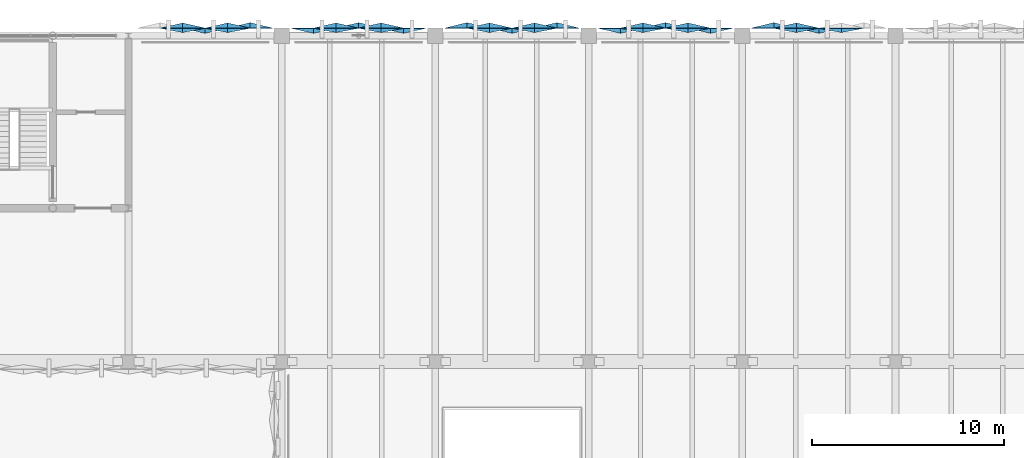
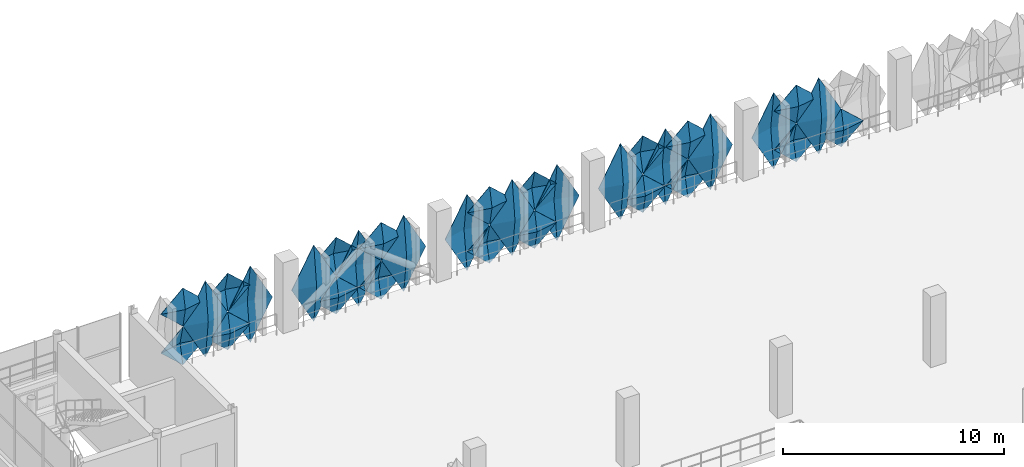
# One storey, part 78 of 96: 32 plates.
"""IFC4 building model written with IfcOpenShell, lengths in metres."""

from ifc_helpers import new_model, si_unit, derived_unit, direction, frame, origin, place, context, subcontext, project, spatial, polygons, material, layer, layer_set, type_object, element, save


model = new_model("IFC4")

# Units and contexts
model_context = context("Model", 3, precision=1e-05, world=origin(), true_north=direction((0.0, 1.0)))
body_context = subcontext(model_context, "Body", "Model", "MODEL_VIEW")
ifc_project = project(units=[si_unit("LENGTHUNIT", "METRE"), si_unit("AREAUNIT", "SQUARE_METRE"), si_unit("VOLUMEUNIT", "CUBIC_METRE"), si_unit("PLANEANGLEUNIT", "RADIAN"), si_unit("MASSUNIT", "GRAM", prefix="KILO"), si_unit("THERMODYNAMICTEMPERATUREUNIT", "KELVIN"), derived_unit("THERMALTRANSMITTANCEUNIT", [(si_unit("POWERUNIT", "WATT"), 1), (si_unit("AREAUNIT", "SQUARE_METRE"), -1), (si_unit("THERMODYNAMICTEMPERATUREUNIT", "KELVIN"), -1)])], contexts=[model_context])

# Site, building, storey
site_placement = place(None, origin())
site = spatial("IfcSite", under=ifc_project, at=site_placement, CompositionType="ELEMENT")
building_placement = place(site_placement, origin())
building = spatial("IfcBuilding", under=site, at=building_placement, Name="Haiyu Intermodal Mobility Hub", CompositionType="ELEMENT")
storey_placement = place(building_placement, frame((0.0, 0.0, 9.5)))
storey = spatial("IfcBuildingStorey", under=building, at=storey_placement, Name="L02", CompositionType="ELEMENT", Elevation=9.5)

# Plates
ifc_material = material(Name="Anodised aluminium 6063-T6", Category="aluminium")
ifc_layer_1 = layer(ifc_material, 0.01806640625)
ifc_layer_set_1 = layer_set([ifc_layer_1], Name="Anodised aluminium 6063-T6")
plate_type_1 = type_object("IfcPlateType", Name="PLT-FC01", PredefinedType="USERDEFINED", material=ifc_layer_set_1)
plate_1_placement = place(storey_placement, origin())
element("IfcPlate", 1, at=plate_1_placement, inside=storey, type_object=plate_type_1, Name="PLT-PYR-0084", ObjectType="FACADE CASSETTE", PredefinedType="USERDEFINED", context=body_context, shape_type="Tessellation", body=[
    polygons([(47.653076171875, 148.39990234375, -0.510009765625), (46.5, 148.39990234375, 1.60009765625), (47.653076171875, 148.39990234375, 3.7099609375), (48.806884765625, 148.39990234375, 1.60009765625), (47.653076171875, 148.679931640625, 1.60009765625), (47.653076171875, 148.3779296875, -0.510009765625), (46.5, 148.3779296875, 1.60009765625), (47.653076171875, 148.3779296875, 3.7099609375), (48.806884765625, 148.3779296875, 1.60009765625), (47.653076171875, 148.657958984375, 1.60009765625)], [[[1, 2, 5]], [[2, 3, 5]], [[3, 4, 5]], [[4, 1, 5]], [[7, 6, 10]], [[8, 7, 10]], [[9, 8, 10]], [[6, 9, 10]], [[1, 6, 7, 2]], [[2, 7, 8, 3]], [[3, 8, 9, 4]], [[4, 9, 6, 1]]], closed=True),
])
plate_2_placement = place(storey_placement, origin())
element("IfcPlate", 2, at=plate_2_placement, inside=storey, type_object=plate_type_1, Name="PLT-PYR-0154", ObjectType="FACADE CASSETTE", PredefinedType="USERDEFINED", context=body_context, shape_type="Tessellation", body=[
    polygons([(63.653076171875, 148.39990234375, -0.510009765625), (62.5, 148.39990234375, 1.60009765625), (63.653076171875, 148.39990234375, 3.7099609375), (64.806884765625, 148.39990234375, 1.60009765625), (63.653076171875, 148.679931640625, 1.60009765625), (63.653076171875, 148.3779296875, -0.510009765625), (62.5, 148.3779296875, 1.60009765625), (63.653076171875, 148.3779296875, 3.7099609375), (64.806884765625, 148.3779296875, 1.60009765625), (63.653076171875, 148.657958984375, 1.60009765625)], [[[1, 2, 5]], [[2, 3, 5]], [[3, 4, 5]], [[4, 1, 5]], [[7, 6, 10]], [[8, 7, 10]], [[9, 8, 10]], [[6, 9, 10]], [[1, 6, 7, 2]], [[2, 7, 8, 3]], [[3, 8, 9, 4]], [[4, 9, 6, 1]]], closed=True),
])
ifc_layer_2 = layer(ifc_material, 0.02001953125)
ifc_layer_set_2 = layer_set([ifc_layer_2], Name="Anodised aluminium 6063-T6")
plate_type_2 = type_object("IfcPlateType", Name="PLT-FC02", PredefinedType="USERDEFINED", material=ifc_layer_set_2)
plate_3_placement = place(storey_placement, origin())
element("IfcPlate", 3, at=plate_3_placement, inside=storey, type_object=plate_type_2, Name="PLT-PYR-0049", ObjectType="FACADE CASSETTE", PredefinedType="USERDEFINED", context=body_context, shape_type="Tessellation", body=[
    polygons([(39.653076171875, 148.39990234375, -0.510009765625), (38.5, 148.39990234375, 1.60009765625), (39.653076171875, 148.39990234375, 3.7099609375), (40.806884765625, 148.39990234375, 1.60009765625), (39.653076171875, 148.139892578125, 1.60009765625), (39.653076171875, 148.3779296875, -0.510009765625), (38.5, 148.3779296875, 1.60009765625), (39.653076171875, 148.3779296875, 3.7099609375), (40.806884765625, 148.3779296875, 1.60009765625), (39.653076171875, 148.117919921875, 1.60009765625)], [[[1, 2, 5]], [[2, 3, 5]], [[3, 4, 5]], [[4, 1, 5]], [[7, 6, 10]], [[8, 7, 10]], [[9, 8, 10]], [[6, 9, 10]], [[1, 6, 7, 2]], [[2, 7, 8, 3]], [[3, 8, 9, 4]], [[4, 9, 6, 1]]], closed=True),
])
plate_4_placement = place(storey_placement, origin())
element("IfcPlate", 4, at=plate_4_placement, inside=storey, type_object=plate_type_2, Name="PLT-PYR-0119", ObjectType="FACADE CASSETTE", PredefinedType="USERDEFINED", context=body_context, shape_type="Tessellation", body=[
    polygons([(55.653076171875, 148.39990234375, -0.510009765625), (54.5, 148.39990234375, 1.60009765625), (55.653076171875, 148.39990234375, 3.7099609375), (56.806884765625, 148.39990234375, 1.60009765625), (55.653076171875, 148.139892578125, 1.60009765625), (55.653076171875, 148.3779296875, -0.510009765625), (54.5, 148.3779296875, 1.60009765625), (55.653076171875, 148.3779296875, 3.7099609375), (56.806884765625, 148.3779296875, 1.60009765625), (55.653076171875, 148.117919921875, 1.60009765625)], [[[1, 2, 5]], [[2, 3, 5]], [[3, 4, 5]], [[4, 1, 5]], [[7, 6, 10]], [[8, 7, 10]], [[9, 8, 10]], [[6, 9, 10]], [[1, 6, 7, 2]], [[2, 7, 8, 3]], [[3, 8, 9, 4]], [[4, 9, 6, 1]]], closed=True),
])
ifc_layer_3 = layer(ifc_material, 0.01806640625)
ifc_layer_set_3 = layer_set([ifc_layer_3], Name="Anodised aluminium 6063-T6")
plate_type_3 = type_object("IfcPlateType", Name="PLT-FC05", PredefinedType="USERDEFINED", material=ifc_layer_set_3)
plate_5_placement = place(storey_placement, origin())
element("IfcPlate", 5, at=plate_5_placement, inside=storey, type_object=plate_type_3, Name="PLT-PYR-0008", ObjectType="FACADE CASSETTE", PredefinedType="USERDEFINED", context=body_context, shape_type="Tessellation", body=[
    polygons([(36.346923828125, 148.39990234375, -0.510009765625), (35.193115234375, 148.39990234375, 1.60009765625), (36.346923828125, 148.39990234375, 3.7099609375), (37.5, 148.39990234375, 1.60009765625), (36.346923828125, 148.679931640625, 1.60009765625), (36.346923828125, 148.3779296875, -0.510009765625), (35.193115234375, 148.3779296875, 1.60009765625), (36.346923828125, 148.3779296875, 3.7099609375), (37.5, 148.3779296875, 1.60009765625), (36.346923828125, 148.657958984375, 1.60009765625)], [[[1, 2, 5]], [[2, 3, 5]], [[3, 4, 5]], [[4, 1, 5]], [[7, 6, 10]], [[8, 7, 10]], [[9, 8, 10]], [[6, 9, 10]], [[1, 6, 7, 2]], [[2, 7, 8, 3]], [[3, 8, 9, 4]], [[4, 9, 6, 1]]], closed=True),
])
plate_6_placement = place(storey_placement, origin())
element("IfcPlate", 6, at=plate_6_placement, inside=storey, type_object=plate_type_3, Name="PLT-PYR-0012", ObjectType="FACADE CASSETTE", PredefinedType="USERDEFINED", context=body_context, shape_type="Tessellation", body=[
    polygons([(32.826904296875, 148.39990234375, -0.52001953125), (31.673095703125, 148.39990234375, 0.530029296875), (32.826904296875, 148.39990234375, 1.580078125), (33.97998046875, 148.39990234375, 0.530029296875), (32.826904296875, 148.659912109375, 0.530029296875), (32.826904296875, 148.3779296875, -0.52001953125), (31.673095703125, 148.3779296875, 0.530029296875), (32.826904296875, 148.3779296875, 1.580078125), (33.97998046875, 148.3779296875, 0.530029296875), (32.826904296875, 148.637939453125, 0.530029296875)], [[[1, 2, 5]], [[2, 3, 5]], [[3, 4, 5]], [[4, 1, 5]], [[7, 6, 10]], [[8, 7, 10]], [[9, 8, 10]], [[6, 9, 10]], [[1, 6, 7, 2]], [[2, 7, 8, 3]], [[3, 8, 9, 4]], [[4, 9, 6, 1]]], closed=True),
])
plate_7_placement = place(storey_placement, origin())
element("IfcPlate", 7, at=plate_7_placement, inside=storey, type_object=plate_type_3, Name="PLT-PYR-0044", ObjectType="FACADE CASSETTE", PredefinedType="USERDEFINED", context=body_context, shape_type="Tessellation", body=[
    polygons([(43.173095703125, 148.39990234375, -0.52001953125), (42.02001953125, 148.39990234375, 0.530029296875), (43.173095703125, 148.39990234375, 1.580078125), (44.326904296875, 148.39990234375, 0.530029296875), (43.173095703125, 148.659912109375, 0.530029296875), (43.173095703125, 148.3779296875, -0.52001953125), (42.02001953125, 148.3779296875, 0.530029296875), (43.173095703125, 148.3779296875, 1.580078125), (44.326904296875, 148.3779296875, 0.530029296875), (43.173095703125, 148.637939453125, 0.530029296875)], [[[1, 2, 5]], [[2, 3, 5]], [[3, 4, 5]], [[4, 1, 5]], [[7, 6, 10]], [[8, 7, 10]], [[9, 8, 10]], [[6, 9, 10]], [[1, 6, 7, 2]], [[2, 7, 8, 3]], [[3, 8, 9, 4]], [[4, 9, 6, 1]]], closed=True),
])
plate_8_placement = place(storey_placement, origin())
element("IfcPlate", 8, at=plate_8_placement, inside=storey, type_object=plate_type_3, Name="PLT-PYR-0078", ObjectType="FACADE CASSETTE", PredefinedType="USERDEFINED", context=body_context, shape_type="Tessellation", body=[
    polygons([(52.346923828125, 148.39990234375, -0.510009765625), (51.193115234375, 148.39990234375, 1.60009765625), (52.346923828125, 148.39990234375, 3.7099609375), (53.5, 148.39990234375, 1.60009765625), (52.346923828125, 148.679931640625, 1.60009765625), (52.346923828125, 148.3779296875, -0.510009765625), (51.193115234375, 148.3779296875, 1.60009765625), (52.346923828125, 148.3779296875, 3.7099609375), (53.5, 148.3779296875, 1.60009765625), (52.346923828125, 148.657958984375, 1.60009765625)], [[[1, 2, 5]], [[2, 3, 5]], [[3, 4, 5]], [[4, 1, 5]], [[7, 6, 10]], [[8, 7, 10]], [[9, 8, 10]], [[6, 9, 10]], [[1, 6, 7, 2]], [[2, 7, 8, 3]], [[3, 8, 9, 4]], [[4, 9, 6, 1]]], closed=True),
])
plate_9_placement = place(storey_placement, origin())
element("IfcPlate", 9, at=plate_9_placement, inside=storey, type_object=plate_type_3, Name="PLT-PYR-0082", ObjectType="FACADE CASSETTE", PredefinedType="USERDEFINED", context=body_context, shape_type="Tessellation", body=[
    polygons([(48.826904296875, 148.39990234375, -0.52001953125), (47.673095703125, 148.39990234375, 0.530029296875), (48.826904296875, 148.39990234375, 1.580078125), (49.97998046875, 148.39990234375, 0.530029296875), (48.826904296875, 148.659912109375, 0.530029296875), (48.826904296875, 148.3779296875, -0.52001953125), (47.673095703125, 148.3779296875, 0.530029296875), (48.826904296875, 148.3779296875, 1.580078125), (49.97998046875, 148.3779296875, 0.530029296875), (48.826904296875, 148.637939453125, 0.530029296875)], [[[1, 2, 5]], [[2, 3, 5]], [[3, 4, 5]], [[4, 1, 5]], [[7, 6, 10]], [[8, 7, 10]], [[9, 8, 10]], [[6, 9, 10]], [[1, 6, 7, 2]], [[2, 7, 8, 3]], [[3, 8, 9, 4]], [[4, 9, 6, 1]]], closed=True),
])
plate_10_placement = place(storey_placement, origin())
element("IfcPlate", 10, at=plate_10_placement, inside=storey, type_object=plate_type_3, Name="PLT-PYR-0114", ObjectType="FACADE CASSETTE", PredefinedType="USERDEFINED", context=body_context, shape_type="Tessellation", body=[
    polygons([(59.173095703125, 148.39990234375, -0.52001953125), (58.02001953125, 148.39990234375, 0.530029296875), (59.173095703125, 148.39990234375, 1.580078125), (60.326904296875, 148.39990234375, 0.530029296875), (59.173095703125, 148.659912109375, 0.530029296875), (59.173095703125, 148.3779296875, -0.52001953125), (58.02001953125, 148.3779296875, 0.530029296875), (59.173095703125, 148.3779296875, 1.580078125), (60.326904296875, 148.3779296875, 0.530029296875), (59.173095703125, 148.637939453125, 0.530029296875)], [[[1, 2, 5]], [[2, 3, 5]], [[3, 4, 5]], [[4, 1, 5]], [[7, 6, 10]], [[8, 7, 10]], [[9, 8, 10]], [[6, 9, 10]], [[1, 6, 7, 2]], [[2, 7, 8, 3]], [[3, 8, 9, 4]], [[4, 9, 6, 1]]], closed=True),
])
plate_11_placement = place(storey_placement, origin())
element("IfcPlate", 11, at=plate_11_placement, inside=storey, type_object=plate_type_3, Name="PLT-PYR-0152", ObjectType="FACADE CASSETTE", PredefinedType="USERDEFINED", context=body_context, shape_type="Tessellation", body=[
    polygons([(64.826904296875, 148.39990234375, -0.52001953125), (63.673095703125, 148.39990234375, 0.530029296875), (64.826904296875, 148.39990234375, 1.580078125), (65.97998046875, 148.39990234375, 0.530029296875), (64.826904296875, 148.659912109375, 0.530029296875), (64.826904296875, 148.3779296875, -0.52001953125), (63.673095703125, 148.3779296875, 0.530029296875), (64.826904296875, 148.3779296875, 1.580078125), (65.97998046875, 148.3779296875, 0.530029296875), (64.826904296875, 148.637939453125, 0.530029296875)], [[[1, 2, 5]], [[2, 3, 5]], [[3, 4, 5]], [[4, 1, 5]], [[7, 6, 10]], [[8, 7, 10]], [[9, 8, 10]], [[6, 9, 10]], [[1, 6, 7, 2]], [[2, 7, 8, 3]], [[3, 8, 9, 4]], [[4, 9, 6, 1]]], closed=True),
])
ifc_layer_4 = layer(ifc_material, 0.02001953125)
ifc_layer_set_4 = layer_set([ifc_layer_4], Name="Anodised aluminium 6063-T6")
plate_type_4 = type_object("IfcPlateType", Name="PLT-FC06", PredefinedType="USERDEFINED", material=ifc_layer_set_4)
plate_12_placement = place(storey_placement, origin())
element("IfcPlate", 12, at=plate_12_placement, inside=storey, type_object=plate_type_4, Name="PLT-PYR-0009", ObjectType="FACADE CASSETTE", PredefinedType="USERDEFINED", context=body_context, shape_type="Tessellation", body=[
    polygons([(35.173095703125, 148.39990234375, -0.52001953125), (34.02001953125, 148.39990234375, 0.530029296875), (35.173095703125, 148.39990234375, 1.580078125), (36.326904296875, 148.39990234375, 0.530029296875), (35.173095703125, 148.179931640625, 0.530029296875), (35.173095703125, 148.3779296875, -0.52001953125), (34.02001953125, 148.3779296875, 0.530029296875), (35.173095703125, 148.3779296875, 1.580078125), (36.326904296875, 148.3779296875, 0.530029296875), (35.173095703125, 148.157958984375, 0.530029296875)], [[[1, 2, 5]], [[2, 3, 5]], [[3, 4, 5]], [[4, 1, 5]], [[7, 6, 10]], [[8, 7, 10]], [[9, 8, 10]], [[6, 9, 10]], [[1, 6, 7, 2]], [[2, 7, 8, 3]], [[3, 8, 9, 4]], [[4, 9, 6, 1]]], closed=True),
])
plate_13_placement = place(storey_placement, origin())
element("IfcPlate", 13, at=plate_13_placement, inside=storey, type_object=plate_type_4, Name="PLT-PYR-0043", ObjectType="FACADE CASSETTE", PredefinedType="USERDEFINED", context=body_context, shape_type="Tessellation", body=[
    polygons([(44.346923828125, 148.39990234375, -0.510009765625), (43.193115234375, 148.39990234375, 1.60009765625), (44.346923828125, 148.39990234375, 3.7099609375), (45.5, 148.39990234375, 1.60009765625), (44.346923828125, 148.139892578125, 1.60009765625), (44.346923828125, 148.3779296875, -0.510009765625), (43.193115234375, 148.3779296875, 1.60009765625), (44.346923828125, 148.3779296875, 3.7099609375), (45.5, 148.3779296875, 1.60009765625), (44.346923828125, 148.117919921875, 1.60009765625)], [[[1, 2, 5]], [[2, 3, 5]], [[3, 4, 5]], [[4, 1, 5]], [[7, 6, 10]], [[8, 7, 10]], [[9, 8, 10]], [[6, 9, 10]], [[1, 6, 7, 2]], [[2, 7, 8, 3]], [[3, 8, 9, 4]], [[4, 9, 6, 1]]], closed=True),
])
plate_14_placement = place(storey_placement, origin())
element("IfcPlate", 14, at=plate_14_placement, inside=storey, type_object=plate_type_4, Name="PLT-PYR-0047", ObjectType="FACADE CASSETTE", PredefinedType="USERDEFINED", context=body_context, shape_type="Tessellation", body=[
    polygons([(40.826904296875, 148.39990234375, -0.52001953125), (39.673095703125, 148.39990234375, 0.530029296875), (40.826904296875, 148.39990234375, 1.580078125), (41.97998046875, 148.39990234375, 0.530029296875), (40.826904296875, 148.179931640625, 0.530029296875), (40.826904296875, 148.3779296875, -0.52001953125), (39.673095703125, 148.3779296875, 0.530029296875), (40.826904296875, 148.3779296875, 1.580078125), (41.97998046875, 148.3779296875, 0.530029296875), (40.826904296875, 148.157958984375, 0.530029296875)], [[[1, 2, 5]], [[2, 3, 5]], [[3, 4, 5]], [[4, 1, 5]], [[7, 6, 10]], [[8, 7, 10]], [[9, 8, 10]], [[6, 9, 10]], [[1, 6, 7, 2]], [[2, 7, 8, 3]], [[3, 8, 9, 4]], [[4, 9, 6, 1]]], closed=True),
])
plate_15_placement = place(storey_placement, origin())
element("IfcPlate", 15, at=plate_15_placement, inside=storey, type_object=plate_type_4, Name="PLT-PYR-0079", ObjectType="FACADE CASSETTE", PredefinedType="USERDEFINED", context=body_context, shape_type="Tessellation", body=[
    polygons([(51.173095703125, 148.39990234375, -0.52001953125), (50.02001953125, 148.39990234375, 0.530029296875), (51.173095703125, 148.39990234375, 1.580078125), (52.326904296875, 148.39990234375, 0.530029296875), (51.173095703125, 148.179931640625, 0.530029296875), (51.173095703125, 148.3779296875, -0.52001953125), (50.02001953125, 148.3779296875, 0.530029296875), (51.173095703125, 148.3779296875, 1.580078125), (52.326904296875, 148.3779296875, 0.530029296875), (51.173095703125, 148.157958984375, 0.530029296875)], [[[1, 2, 5]], [[2, 3, 5]], [[3, 4, 5]], [[4, 1, 5]], [[7, 6, 10]], [[8, 7, 10]], [[9, 8, 10]], [[6, 9, 10]], [[1, 6, 7, 2]], [[2, 7, 8, 3]], [[3, 8, 9, 4]], [[4, 9, 6, 1]]], closed=True),
])
plate_16_placement = place(storey_placement, origin())
element("IfcPlate", 16, at=plate_16_placement, inside=storey, type_object=plate_type_4, Name="PLT-PYR-0113", ObjectType="FACADE CASSETTE", PredefinedType="USERDEFINED", context=body_context, shape_type="Tessellation", body=[
    polygons([(60.346923828125, 148.39990234375, -0.510009765625), (59.193115234375, 148.39990234375, 1.60009765625), (60.346923828125, 148.39990234375, 3.7099609375), (61.5, 148.39990234375, 1.60009765625), (60.346923828125, 148.139892578125, 1.60009765625), (60.346923828125, 148.3779296875, -0.510009765625), (59.193115234375, 148.3779296875, 1.60009765625), (60.346923828125, 148.3779296875, 3.7099609375), (61.5, 148.3779296875, 1.60009765625), (60.346923828125, 148.117919921875, 1.60009765625)], [[[1, 2, 5]], [[2, 3, 5]], [[3, 4, 5]], [[4, 1, 5]], [[7, 6, 10]], [[8, 7, 10]], [[9, 8, 10]], [[6, 9, 10]], [[1, 6, 7, 2]], [[2, 7, 8, 3]], [[3, 8, 9, 4]], [[4, 9, 6, 1]]], closed=True),
])
plate_17_placement = place(storey_placement, origin())
element("IfcPlate", 17, at=plate_17_placement, inside=storey, type_object=plate_type_4, Name="PLT-PYR-0117", ObjectType="FACADE CASSETTE", PredefinedType="USERDEFINED", context=body_context, shape_type="Tessellation", body=[
    polygons([(56.826904296875, 148.39990234375, -0.52001953125), (55.673095703125, 148.39990234375, 0.530029296875), (56.826904296875, 148.39990234375, 1.580078125), (57.97998046875, 148.39990234375, 0.530029296875), (56.826904296875, 148.179931640625, 0.530029296875), (56.826904296875, 148.3779296875, -0.52001953125), (55.673095703125, 148.3779296875, 0.530029296875), (56.826904296875, 148.3779296875, 1.580078125), (57.97998046875, 148.3779296875, 0.530029296875), (56.826904296875, 148.157958984375, 0.530029296875)], [[[1, 2, 5]], [[2, 3, 5]], [[3, 4, 5]], [[4, 1, 5]], [[7, 6, 10]], [[8, 7, 10]], [[9, 8, 10]], [[6, 9, 10]], [[1, 6, 7, 2]], [[2, 7, 8, 3]], [[3, 8, 9, 4]], [[4, 9, 6, 1]]], closed=True),
])
plate_18_placement = place(storey_placement, origin())
element("IfcPlate", 18, at=plate_18_placement, inside=storey, type_object=plate_type_4, Name="PLT-PYR-0149", ObjectType="FACADE CASSETTE", PredefinedType="USERDEFINED", context=body_context, shape_type="Tessellation", body=[
    polygons([(67.173095703125, 148.39990234375, -0.52001953125), (66.02001953125, 148.39990234375, 0.530029296875), (67.173095703125, 148.39990234375, 1.580078125), (68.326904296875, 148.39990234375, 0.530029296875), (67.173095703125, 148.179931640625, 0.530029296875), (67.173095703125, 148.3779296875, -0.52001953125), (66.02001953125, 148.3779296875, 0.530029296875), (67.173095703125, 148.3779296875, 1.580078125), (68.326904296875, 148.3779296875, 0.530029296875), (67.173095703125, 148.157958984375, 0.530029296875)], [[[1, 2, 5]], [[2, 3, 5]], [[3, 4, 5]], [[4, 1, 5]], [[7, 6, 10]], [[8, 7, 10]], [[9, 8, 10]], [[6, 9, 10]], [[1, 6, 7, 2]], [[2, 7, 8, 3]], [[3, 8, 9, 4]], [[4, 9, 6, 1]]], closed=True),
])
ifc_layer_5 = layer(ifc_material, 0.02197265625)
ifc_layer_set_5 = layer_set([ifc_layer_5], Name="Anodised aluminium 6063-T6")
plate_type_5 = type_object("IfcPlateType", Name="PLT-FC07", PredefinedType="USERDEFINED", material=ifc_layer_set_5)
plate_19_placement = place(storey_placement, origin())
element("IfcPlate", 19, at=plate_19_placement, inside=storey, type_object=plate_type_5, Name="PLT-PYR-0010", ObjectType="FACADE CASSETTE", PredefinedType="USERDEFINED", context=body_context, shape_type="Tessellation", body=[
    polygons([(35.173095703125, 148.39990234375, 1.6201171875), (34.02001953125, 148.39990234375, 2.669921875), (35.173095703125, 148.39990234375, 3.719970703125), (36.326904296875, 148.39990234375, 2.669921875), (35.173095703125, 148.659912109375, 2.669921875), (35.173095703125, 148.3779296875, 1.6201171875), (34.02001953125, 148.3779296875, 2.669921875), (35.173095703125, 148.3779296875, 3.719970703125), (36.326904296875, 148.3779296875, 2.669921875), (35.173095703125, 148.637939453125, 2.669921875)], [[[1, 2, 5]], [[2, 3, 5]], [[3, 4, 5]], [[4, 1, 5]], [[7, 6, 10]], [[8, 7, 10]], [[9, 8, 10]], [[6, 9, 10]], [[1, 6, 7, 2]], [[2, 7, 8, 3]], [[3, 8, 9, 4]], [[4, 9, 6, 1]]], closed=True),
])
plate_20_placement = place(storey_placement, origin())
element("IfcPlate", 20, at=plate_20_placement, inside=storey, type_object=plate_type_5, Name="PLT-PYR-0046", ObjectType="FACADE CASSETTE", PredefinedType="USERDEFINED", context=body_context, shape_type="Tessellation", body=[
    polygons([(42.0, 148.39990234375, -0.510009765625), (40.846923828125, 148.39990234375, 1.60009765625), (42.0, 148.39990234375, 3.7099609375), (43.153076171875, 148.39990234375, 1.60009765625), (42.0, 148.679931640625, 1.60009765625), (42.0, 148.3779296875, -0.510009765625), (40.846923828125, 148.3779296875, 1.60009765625), (42.0, 148.3779296875, 3.7099609375), (43.153076171875, 148.3779296875, 1.60009765625), (42.0, 148.657958984375, 1.60009765625)], [[[1, 2, 5]], [[2, 3, 5]], [[3, 4, 5]], [[4, 1, 5]], [[7, 6, 10]], [[8, 7, 10]], [[9, 8, 10]], [[6, 9, 10]], [[1, 6, 7, 2]], [[2, 7, 8, 3]], [[3, 8, 9, 4]], [[4, 9, 6, 1]]], closed=True),
])
plate_21_placement = place(storey_placement, origin())
element("IfcPlate", 21, at=plate_21_placement, inside=storey, type_object=plate_type_5, Name="PLT-PYR-0048", ObjectType="FACADE CASSETTE", PredefinedType="USERDEFINED", context=body_context, shape_type="Tessellation", body=[
    polygons([(40.826904296875, 148.39990234375, 1.6201171875), (39.673095703125, 148.39990234375, 2.669921875), (40.826904296875, 148.39990234375, 3.719970703125), (41.97998046875, 148.39990234375, 2.669921875), (40.826904296875, 148.659912109375, 2.669921875), (40.826904296875, 148.3779296875, 1.6201171875), (39.673095703125, 148.3779296875, 2.669921875), (40.826904296875, 148.3779296875, 3.719970703125), (41.97998046875, 148.3779296875, 2.669921875), (40.826904296875, 148.637939453125, 2.669921875)], [[[1, 2, 5]], [[2, 3, 5]], [[3, 4, 5]], [[4, 1, 5]], [[7, 6, 10]], [[8, 7, 10]], [[9, 8, 10]], [[6, 9, 10]], [[1, 6, 7, 2]], [[2, 7, 8, 3]], [[3, 8, 9, 4]], [[4, 9, 6, 1]]], closed=True),
])
plate_22_placement = place(storey_placement, origin())
element("IfcPlate", 22, at=plate_22_placement, inside=storey, type_object=plate_type_5, Name="PLT-PYR-0080", ObjectType="FACADE CASSETTE", PredefinedType="USERDEFINED", context=body_context, shape_type="Tessellation", body=[
    polygons([(51.173095703125, 148.39990234375, 1.6201171875), (50.02001953125, 148.39990234375, 2.669921875), (51.173095703125, 148.39990234375, 3.719970703125), (52.326904296875, 148.39990234375, 2.669921875), (51.173095703125, 148.659912109375, 2.669921875), (51.173095703125, 148.3779296875, 1.6201171875), (50.02001953125, 148.3779296875, 2.669921875), (51.173095703125, 148.3779296875, 3.719970703125), (52.326904296875, 148.3779296875, 2.669921875), (51.173095703125, 148.637939453125, 2.669921875)], [[[1, 2, 5]], [[2, 3, 5]], [[3, 4, 5]], [[4, 1, 5]], [[7, 6, 10]], [[8, 7, 10]], [[9, 8, 10]], [[6, 9, 10]], [[1, 6, 7, 2]], [[2, 7, 8, 3]], [[3, 8, 9, 4]], [[4, 9, 6, 1]]], closed=True),
])
plate_23_placement = place(storey_placement, origin())
element("IfcPlate", 23, at=plate_23_placement, inside=storey, type_object=plate_type_5, Name="PLT-PYR-0116", ObjectType="FACADE CASSETTE", PredefinedType="USERDEFINED", context=body_context, shape_type="Tessellation", body=[
    polygons([(58.0, 148.39990234375, -0.510009765625), (56.846923828125, 148.39990234375, 1.60009765625), (58.0, 148.39990234375, 3.7099609375), (59.153076171875, 148.39990234375, 1.60009765625), (58.0, 148.679931640625, 1.60009765625), (58.0, 148.3779296875, -0.510009765625), (56.846923828125, 148.3779296875, 1.60009765625), (58.0, 148.3779296875, 3.7099609375), (59.153076171875, 148.3779296875, 1.60009765625), (58.0, 148.657958984375, 1.60009765625)], [[[1, 2, 5]], [[2, 3, 5]], [[3, 4, 5]], [[4, 1, 5]], [[7, 6, 10]], [[8, 7, 10]], [[9, 8, 10]], [[6, 9, 10]], [[1, 6, 7, 2]], [[2, 7, 8, 3]], [[3, 8, 9, 4]], [[4, 9, 6, 1]]], closed=True),
])
plate_24_placement = place(storey_placement, origin())
element("IfcPlate", 24, at=plate_24_placement, inside=storey, type_object=plate_type_5, Name="PLT-PYR-0118", ObjectType="FACADE CASSETTE", PredefinedType="USERDEFINED", context=body_context, shape_type="Tessellation", body=[
    polygons([(56.826904296875, 148.39990234375, 1.6201171875), (55.673095703125, 148.39990234375, 2.669921875), (56.826904296875, 148.39990234375, 3.719970703125), (57.97998046875, 148.39990234375, 2.669921875), (56.826904296875, 148.659912109375, 2.669921875), (56.826904296875, 148.3779296875, 1.6201171875), (55.673095703125, 148.3779296875, 2.669921875), (56.826904296875, 148.3779296875, 3.719970703125), (57.97998046875, 148.3779296875, 2.669921875), (56.826904296875, 148.637939453125, 2.669921875)], [[[1, 2, 5]], [[2, 3, 5]], [[3, 4, 5]], [[4, 1, 5]], [[7, 6, 10]], [[8, 7, 10]], [[9, 8, 10]], [[6, 9, 10]], [[1, 6, 7, 2]], [[2, 7, 8, 3]], [[3, 8, 9, 4]], [[4, 9, 6, 1]]], closed=True),
])
ifc_layer_6 = layer(ifc_material, 0.02392578125)
ifc_layer_set_6 = layer_set([ifc_layer_6], Name="Anodised aluminium 6063-T6")
plate_type_6 = type_object("IfcPlateType", Name="PLT-FC08", PredefinedType="USERDEFINED", material=ifc_layer_set_6)
plate_25_placement = place(storey_placement, origin())
element("IfcPlate", 25, at=plate_25_placement, inside=storey, type_object=plate_type_6, Name="PLT-PYR-0011", ObjectType="FACADE CASSETTE", PredefinedType="USERDEFINED", context=body_context, shape_type="Tessellation", body=[
    polygons([(34.0, 148.39990234375, -0.510009765625), (32.846923828125, 148.39990234375, 1.60009765625), (34.0, 148.39990234375, 3.7099609375), (35.153076171875, 148.39990234375, 1.60009765625), (34.0, 148.139892578125, 1.60009765625), (34.0, 148.3779296875, -0.510009765625), (32.846923828125, 148.3779296875, 1.60009765625), (34.0, 148.3779296875, 3.7099609375), (35.153076171875, 148.3779296875, 1.60009765625), (34.0, 148.117919921875, 1.60009765625)], [[[1, 2, 5]], [[2, 3, 5]], [[3, 4, 5]], [[4, 1, 5]], [[7, 6, 10]], [[8, 7, 10]], [[9, 8, 10]], [[6, 9, 10]], [[1, 6, 7, 2]], [[2, 7, 8, 3]], [[3, 8, 9, 4]], [[4, 9, 6, 1]]], closed=True),
])
plate_26_placement = place(storey_placement, origin())
element("IfcPlate", 26, at=plate_26_placement, inside=storey, type_object=plate_type_6, Name="PLT-PYR-0013", ObjectType="FACADE CASSETTE", PredefinedType="USERDEFINED", context=body_context, shape_type="Tessellation", body=[
    polygons([(32.826904296875, 148.39990234375, 1.6201171875), (31.673095703125, 148.39990234375, 2.669921875), (32.826904296875, 148.39990234375, 3.719970703125), (33.97998046875, 148.39990234375, 2.669921875), (32.826904296875, 148.179931640625, 2.669921875), (32.826904296875, 148.3779296875, 1.6201171875), (31.673095703125, 148.3779296875, 2.669921875), (32.826904296875, 148.3779296875, 3.719970703125), (33.97998046875, 148.3779296875, 2.669921875), (32.826904296875, 148.157958984375, 2.669921875)], [[[1, 2, 5]], [[2, 3, 5]], [[3, 4, 5]], [[4, 1, 5]], [[7, 6, 10]], [[8, 7, 10]], [[9, 8, 10]], [[6, 9, 10]], [[1, 6, 7, 2]], [[2, 7, 8, 3]], [[3, 8, 9, 4]], [[4, 9, 6, 1]]], closed=True),
])
plate_27_placement = place(storey_placement, origin())
element("IfcPlate", 27, at=plate_27_placement, inside=storey, type_object=plate_type_6, Name="PLT-PYR-0045", ObjectType="FACADE CASSETTE", PredefinedType="USERDEFINED", context=body_context, shape_type="Tessellation", body=[
    polygons([(43.173095703125, 148.39990234375, 1.6201171875), (42.02001953125, 148.39990234375, 2.669921875), (43.173095703125, 148.39990234375, 3.719970703125), (44.326904296875, 148.39990234375, 2.669921875), (43.173095703125, 148.179931640625, 2.669921875), (43.173095703125, 148.3779296875, 1.6201171875), (42.02001953125, 148.3779296875, 2.669921875), (43.173095703125, 148.3779296875, 3.719970703125), (44.326904296875, 148.3779296875, 2.669921875), (43.173095703125, 148.157958984375, 2.669921875)], [[[1, 2, 5]], [[2, 3, 5]], [[3, 4, 5]], [[4, 1, 5]], [[7, 6, 10]], [[8, 7, 10]], [[9, 8, 10]], [[6, 9, 10]], [[1, 6, 7, 2]], [[2, 7, 8, 3]], [[3, 8, 9, 4]], [[4, 9, 6, 1]]], closed=True),
])
plate_28_placement = place(storey_placement, origin())
element("IfcPlate", 28, at=plate_28_placement, inside=storey, type_object=plate_type_6, Name="PLT-PYR-0081", ObjectType="FACADE CASSETTE", PredefinedType="USERDEFINED", context=body_context, shape_type="Tessellation", body=[
    polygons([(50.0, 148.39990234375, -0.510009765625), (48.846923828125, 148.39990234375, 1.60009765625), (50.0, 148.39990234375, 3.7099609375), (51.153076171875, 148.39990234375, 1.60009765625), (50.0, 148.139892578125, 1.60009765625), (50.0, 148.3779296875, -0.510009765625), (48.846923828125, 148.3779296875, 1.60009765625), (50.0, 148.3779296875, 3.7099609375), (51.153076171875, 148.3779296875, 1.60009765625), (50.0, 148.117919921875, 1.60009765625)], [[[1, 2, 5]], [[2, 3, 5]], [[3, 4, 5]], [[4, 1, 5]], [[7, 6, 10]], [[8, 7, 10]], [[9, 8, 10]], [[6, 9, 10]], [[1, 6, 7, 2]], [[2, 7, 8, 3]], [[3, 8, 9, 4]], [[4, 9, 6, 1]]], closed=True),
])
plate_29_placement = place(storey_placement, origin())
element("IfcPlate", 29, at=plate_29_placement, inside=storey, type_object=plate_type_6, Name="PLT-PYR-0083", ObjectType="FACADE CASSETTE", PredefinedType="USERDEFINED", context=body_context, shape_type="Tessellation", body=[
    polygons([(48.826904296875, 148.39990234375, 1.6201171875), (47.673095703125, 148.39990234375, 2.669921875), (48.826904296875, 148.39990234375, 3.719970703125), (49.97998046875, 148.39990234375, 2.669921875), (48.826904296875, 148.179931640625, 2.669921875), (48.826904296875, 148.3779296875, 1.6201171875), (47.673095703125, 148.3779296875, 2.669921875), (48.826904296875, 148.3779296875, 3.719970703125), (49.97998046875, 148.3779296875, 2.669921875), (48.826904296875, 148.157958984375, 2.669921875)], [[[1, 2, 5]], [[2, 3, 5]], [[3, 4, 5]], [[4, 1, 5]], [[7, 6, 10]], [[8, 7, 10]], [[9, 8, 10]], [[6, 9, 10]], [[1, 6, 7, 2]], [[2, 7, 8, 3]], [[3, 8, 9, 4]], [[4, 9, 6, 1]]], closed=True),
])
plate_30_placement = place(storey_placement, origin())
element("IfcPlate", 30, at=plate_30_placement, inside=storey, type_object=plate_type_6, Name="PLT-PYR-0115", ObjectType="FACADE CASSETTE", PredefinedType="USERDEFINED", context=body_context, shape_type="Tessellation", body=[
    polygons([(59.173095703125, 148.39990234375, 1.6201171875), (58.02001953125, 148.39990234375, 2.669921875), (59.173095703125, 148.39990234375, 3.719970703125), (60.326904296875, 148.39990234375, 2.669921875), (59.173095703125, 148.179931640625, 2.669921875), (59.173095703125, 148.3779296875, 1.6201171875), (58.02001953125, 148.3779296875, 2.669921875), (59.173095703125, 148.3779296875, 3.719970703125), (60.326904296875, 148.3779296875, 2.669921875), (59.173095703125, 148.157958984375, 2.669921875)], [[[1, 2, 5]], [[2, 3, 5]], [[3, 4, 5]], [[4, 1, 5]], [[7, 6, 10]], [[8, 7, 10]], [[9, 8, 10]], [[6, 9, 10]], [[1, 6, 7, 2]], [[2, 7, 8, 3]], [[3, 8, 9, 4]], [[4, 9, 6, 1]]], closed=True),
])
plate_31_placement = place(storey_placement, origin())
element("IfcPlate", 31, at=plate_31_placement, inside=storey, type_object=plate_type_6, Name="PLT-PYR-0151", ObjectType="FACADE CASSETTE", PredefinedType="USERDEFINED", context=body_context, shape_type="Tessellation", body=[
    polygons([(66.0, 148.39990234375, -0.510009765625), (64.846923828125, 148.39990234375, 1.60009765625), (66.0, 148.39990234375, 3.7099609375), (67.153076171875, 148.39990234375, 1.60009765625), (66.0, 148.139892578125, 1.60009765625), (66.0, 148.3779296875, -0.510009765625), (64.846923828125, 148.3779296875, 1.60009765625), (66.0, 148.3779296875, 3.7099609375), (67.153076171875, 148.3779296875, 1.60009765625), (66.0, 148.117919921875, 1.60009765625)], [[[1, 2, 5]], [[2, 3, 5]], [[3, 4, 5]], [[4, 1, 5]], [[7, 6, 10]], [[8, 7, 10]], [[9, 8, 10]], [[6, 9, 10]], [[1, 6, 7, 2]], [[2, 7, 8, 3]], [[3, 8, 9, 4]], [[4, 9, 6, 1]]], closed=True),
])
plate_32_placement = place(storey_placement, origin())
element("IfcPlate", 32, at=plate_32_placement, inside=storey, type_object=plate_type_6, Name="PLT-PYR-0153", ObjectType="FACADE CASSETTE", PredefinedType="USERDEFINED", context=body_context, shape_type="Tessellation", body=[
    polygons([(64.826904296875, 148.39990234375, 1.6201171875), (63.673095703125, 148.39990234375, 2.669921875), (64.826904296875, 148.39990234375, 3.719970703125), (65.97998046875, 148.39990234375, 2.669921875), (64.826904296875, 148.179931640625, 2.669921875), (64.826904296875, 148.3779296875, 1.6201171875), (63.673095703125, 148.3779296875, 2.669921875), (64.826904296875, 148.3779296875, 3.719970703125), (65.97998046875, 148.3779296875, 2.669921875), (64.826904296875, 148.157958984375, 2.669921875)], [[[1, 2, 5]], [[2, 3, 5]], [[3, 4, 5]], [[4, 1, 5]], [[7, 6, 10]], [[8, 7, 10]], [[9, 8, 10]], [[6, 9, 10]], [[1, 6, 7, 2]], [[2, 7, 8, 3]], [[3, 8, 9, 4]], [[4, 9, 6, 1]]], closed=True),
])

save(model, "model.ifc")
